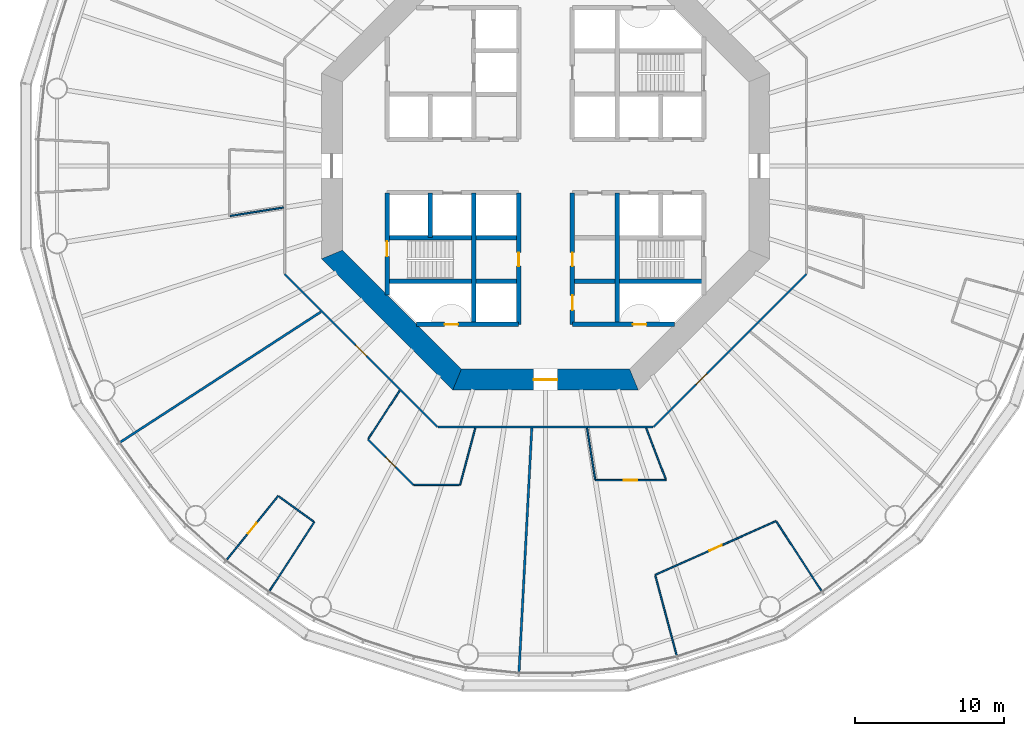
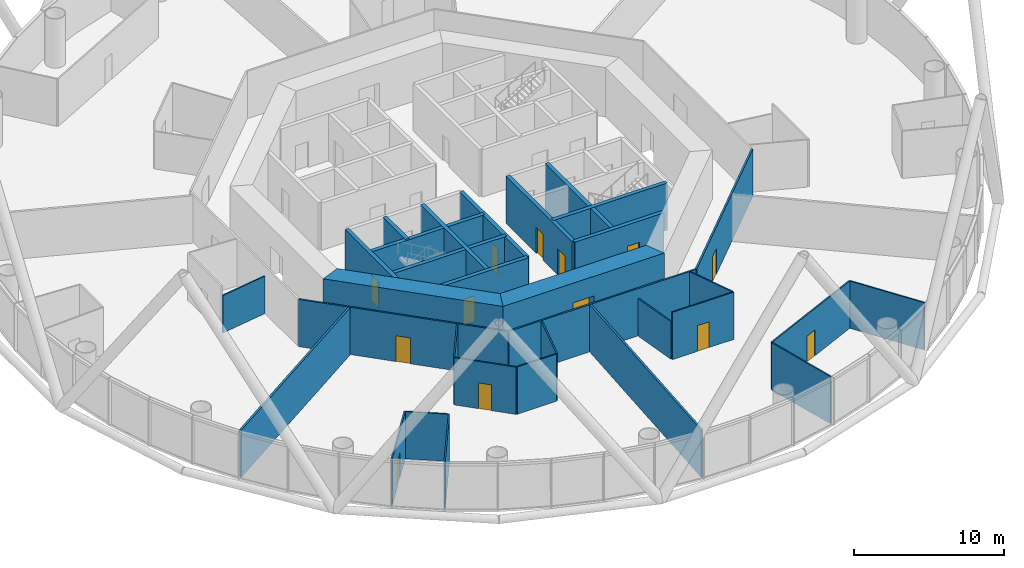
# One storey, part 3 of 13: 32 walls, 13 doors, 13 openings.
"""IFC4 building model written with IfcOpenShell, lengths in metres."""

from ifc_helpers import new_model, si_unit, direction, frame, frame_2d, origin, place, context, subcontext, project, spatial, polyline, rectangle, outline, extrude, material, layer, layer_set, type_object, element, fill, save


model = new_model("IFC4")

# Units and contexts
model_context = context("Model", 3, precision=1e-05, world=origin(), true_north=direction((0.0, 1.0)))
body_context = subcontext(model_context, "Body", "Model", "MODEL_VIEW")
ifc_project = project(units=[si_unit("LENGTHUNIT", "METRE"), si_unit("AREAUNIT", "SQUARE_METRE"), si_unit("VOLUMEUNIT", "CUBIC_METRE"), si_unit("PLANEANGLEUNIT", "RADIAN"), si_unit("MASSUNIT", "GRAM", prefix="KILO")], contexts=[model_context])

# Site, building, storey
site_placement = place(None, origin())
site = spatial("IfcSite", under=ifc_project, at=site_placement, CompositionType="ELEMENT")
building_placement = place(site_placement, origin())
building = spatial("IfcBuilding", under=site, at=building_placement, Name="Entoto Ring Tower", CompositionType="ELEMENT")
storey_placement = place(building_placement, frame((0.0, 0.0, 38.0)))
storey = spatial("IfcBuildingStorey", under=building, at=storey_placement, Name="L07", CompositionType="ELEMENT", Elevation=38.0)

# Wall
ifc_material_1 = material(Name="Concrete C40/50", Category="concrete")
ifc_layer_1 = layer(ifc_material_1, 0.300048828125)
ifc_layer_set_1 = layer_set([ifc_layer_1], Name="Concrete C40/50")
wall_type_1 = type_object("IfcWallType", Name="Core enclosure wall 300 mm reinforced concrete", PredefinedType="SOLIDWALL", material=ifc_layer_set_1)
wall_1_placement = place(storey_placement, frame((94.800048828125, 69.39990234375, 0.0), z_axis=(0.0, 0.0, 1.0), x_axis=(0.0, 1.0, 0.0)))
element("IfcWall", 1, at=wall_1_placement, inside=storey, type_object=wall_type_1, Name="wall-L07-005", PredefinedType="SOLIDWALL", context=body_context, shape_type="SweptSolid", body=[
    extrude(rectangle(XDim=8.800048828125, YDim=0.300048828125, at=frame_2d((4.39990234375, 0.0))), origin(), (0.0, 0.0, 1.0), 3.85009765625),
])

# Wall, openings, doors
wall_2_placement = place(storey_placement, frame((91.800048828125, 69.39990234375, 0.0), z_axis=(0.0, 0.0, 1.0), x_axis=(0.0, 1.0, 0.0)))
wall_2 = element("IfcWall", 2, at=wall_2_placement, inside=storey, type_object=wall_type_1, Name="wall-L07-007", PredefinedType="SOLIDWALL", context=body_context, shape_type="SweptSolid", body=[
    extrude(rectangle(XDim=8.800048828125, YDim=0.300048828125, at=frame_2d((4.39990234375, 0.0))), origin(), (0.0, 0.0, 1.0), 3.85009765625),
])
opening_1_placement = place(wall_2_placement, frame((3.89990234375, 0.0, 0.0)))
opening_1 = element("IfcOpeningElement", 3, at=opening_1_placement, cuts=wall_2, Name="Opening K-12", PredefinedType="OPENING", context=body_context, shape_type="SweptSolid", body=[
    extrude(rectangle(XDim=0.89990234375, YDim=2.10009765625, at=frame_2d((0.449951171875, 1.050048828125))), frame((0.0, 0.16015625, 0.0), z_axis=(0.0, -1.0, 0.0), x_axis=(1.0, 0.0, 0.0)), (0.0, 0.0, 1.0), 0.320068359375),
])
opening_2_placement = place(wall_2_placement, frame((0.949951171875, 0.0, 0.0)))
opening_2 = element("IfcOpeningElement", 4, at=opening_2_placement, cuts=wall_2, Name="Opening K-13", PredefinedType="OPENING", context=body_context, shape_type="SweptSolid", body=[
    extrude(rectangle(XDim=1.0, YDim=2.10009765625, at=frame_2d((0.5, 1.050048828125))), frame((0.0, 0.16015625, 0.0), z_axis=(0.0, -1.0, 0.0), x_axis=(1.0, 0.0, 0.0)), (0.0, 0.0, 1.0), 0.320068359375),
])
ifc_material_2 = material(Name="Steel door leaf, fire rated", Category="steel")
ifc_layer_2 = layer(ifc_material_2, 0.050048828125)
ifc_layer_set_2 = layer_set([ifc_layer_2], Name="Steel door leaf, fire rated")
door_type_1 = type_object("IfcDoorType", Name="Accessible door 1000 x 2100 single leaf", OperationType="NOTDEFINED", PredefinedType="DOOR", material=ifc_layer_set_2)
door_1_placement = place(opening_2_placement, frame((1.0, 0.0, 0.0), z_axis=(0.0, 0.0, 1.0), x_axis=(-1.0, 0.0, 0.0)))
door_1 = element("IfcDoor", 5, at=door_1_placement, inside=storey, type_object=door_type_1, Name="Door K-13", OperationType="SINGLE_SWING_LEFT", OverallHeight=2.10009765625, OverallWidth=1.0, PredefinedType="DOOR", context=body_context, shape_type="SweptSolid", body=[
    extrude(rectangle(XDim=1.0, YDim=2.10009765625, at=frame_2d((0.5, 1.050048828125))), frame((0.0, 0.02490234375, 0.0), z_axis=(0.0, -1.0, 0.0), x_axis=(1.0, 0.0, 0.0)), (0.0, 0.0, 1.0), 0.050048828125),
])
fill(opening_2, door_1)
ifc_material_3 = material(Name="Steel door leaf, fire rated", Category="steel")
ifc_layer_3 = layer(ifc_material_3, 0.050048828125)
ifc_layer_set_3 = layer_set([ifc_layer_3], Name="Steel door leaf, fire rated")
door_type_2 = type_object("IfcDoorType", Name="Core door 900 x 2100 single leaf", OperationType="NOTDEFINED", PredefinedType="DOOR", material=ifc_layer_set_3)
door_2_placement = place(opening_1_placement, frame((0.89990234375, 0.0, 0.0), z_axis=(0.0, 0.0, 1.0), x_axis=(-1.0, 0.0, 0.0)))
door_2 = element("IfcDoor", 6, at=door_2_placement, inside=storey, type_object=door_type_2, Name="Door K-12", OperationType="SINGLE_SWING_LEFT", OverallHeight=2.10009765625, OverallWidth=0.89990234375, PredefinedType="DOOR", context=body_context, shape_type="SweptSolid", body=[
    extrude(rectangle(XDim=0.89990234375, YDim=2.10009765625, at=frame_2d((0.449951171875, 1.050048828125))), frame((0.0, 0.02490234375, 0.0), z_axis=(0.0, -1.0, 0.0), x_axis=(1.0, 0.0, 0.0)), (0.0, 0.0, 1.0), 0.050048828125),
])
fill(opening_1, door_2)

# Wall, opening, door
wall_3_placement = place(storey_placement, frame((88.199951171875, 69.39990234375, 0.0), z_axis=(0.0, 0.0, 1.0), x_axis=(0.0, 1.0, 0.0)))
wall_3 = element("IfcWall", 7, at=wall_3_placement, inside=storey, type_object=wall_type_1, Name="wall-L07-009", PredefinedType="SOLIDWALL", context=body_context, shape_type="SweptSolid", body=[
    extrude(rectangle(XDim=8.800048828125, YDim=0.300048828125, at=frame_2d((4.39990234375, 0.0))), origin(), (0.0, 0.0, 1.0), 3.85009765625),
])
opening_3_placement = place(wall_3_placement, frame((3.89990234375, 0.0, 0.0)))
opening_3 = element("IfcOpeningElement", 8, at=opening_3_placement, cuts=wall_3, Name="Opening K-14", PredefinedType="OPENING", context=body_context, shape_type="SweptSolid", body=[
    extrude(rectangle(XDim=0.89990234375, YDim=2.10009765625, at=frame_2d((0.449951171875, 1.050048828125))), frame((0.0, 0.16015625, 0.0), z_axis=(0.0, -1.0, 0.0), x_axis=(1.0, 0.0, 0.0)), (0.0, 0.0, 1.0), 0.320068359375),
])
door_3_placement = place(opening_3_placement, origin())
door_3 = element("IfcDoor", 9, at=door_3_placement, inside=storey, type_object=door_type_2, Name="Door K-14", OperationType="SINGLE_SWING_RIGHT", OverallHeight=2.10009765625, OverallWidth=0.89990234375, PredefinedType="DOOR", context=body_context, shape_type="SweptSolid", body=[
    extrude(rectangle(XDim=0.89990234375, YDim=2.10009765625, at=frame_2d((0.449951171875, 1.050048828125))), frame((0.0, 0.02490234375, 0.0), z_axis=(0.0, -1.0, 0.0), x_axis=(1.0, 0.0, 0.0)), (0.0, 0.0, 1.0), 0.050048828125),
])
fill(opening_3, door_3)

# Walls
wall_4_placement = place(storey_placement, frame((85.199951171875, 69.39990234375, 0.0), z_axis=(0.0, 0.0, 1.0), x_axis=(0.0, 1.0, 0.0)))
element("IfcWall", 10, at=wall_4_placement, inside=storey, type_object=wall_type_1, Name="wall-L07-011", PredefinedType="SOLIDWALL", context=body_context, shape_type="SweptSolid", body=[
    extrude(rectangle(XDim=8.800048828125, YDim=0.300048828125, at=frame_2d((4.39990234375, 0.0))), origin(), (0.0, 0.0, 1.0), 3.85009765625),
])
wall_5_placement = place(storey_placement, frame((82.300048828125, 75.199951171875, 0.0), z_axis=(0.0, 0.0, 1.0), x_axis=(0.0, 1.0, 0.0)))
element("IfcWall", 11, at=wall_5_placement, inside=storey, type_object=wall_type_1, Name="wall-L07-013", PredefinedType="SOLIDWALL", context=body_context, shape_type="SweptSolid", body=[
    extrude(rectangle(XDim=3.0, YDim=0.300048828125, at=frame_2d((1.5, 0.0))), origin(), (0.0, 0.0, 1.0), 3.85009765625),
])

# Wall, opening, door
wall_6_placement = place(storey_placement, frame((79.39990234375, 71.36669921875, 0.0), z_axis=(0.0, 0.0, 1.0), x_axis=(0.0, 1.0, 0.0)))
wall_6 = element("IfcWall", 12, at=wall_6_placement, inside=storey, type_object=wall_type_1, Name="wall-L07-015", PredefinedType="SOLIDWALL", context=body_context, shape_type="SweptSolid", body=[
    extrude(rectangle(XDim=6.833251953125, YDim=0.300048828125, at=frame_2d((3.41650390625, 0.0))), origin(), (0.0, 0.0, 1.0), 3.85009765625),
])
opening_4_placement = place(wall_6_placement, frame((2.583251953125, 0.0, 0.0)))
opening_4 = element("IfcOpeningElement", 13, at=opening_4_placement, cuts=wall_6, Name="Opening K-59", PredefinedType="OPENING", context=body_context, shape_type="SweptSolid", body=[
    extrude(rectangle(XDim=1.0, YDim=2.10009765625, at=frame_2d((0.5, 1.050048828125))), frame((0.0, 0.16015625, 0.0), z_axis=(0.0, -1.0, 0.0), x_axis=(1.0, 0.0, 0.0)), (0.0, 0.0, 1.0), 0.320068359375),
])
ifc_material_4 = material(Name="Steel door leaf, fire rated", Category="steel")
ifc_layer_4 = layer(ifc_material_4, 0.050048828125)
ifc_layer_set_4 = layer_set([ifc_layer_4], Name="Steel door leaf, fire rated")
door_type_3 = type_object("IfcDoorType", Name="Fire door FD60 1000 x 2100 single leaf", OperationType="NOTDEFINED", PredefinedType="DOOR", material=ifc_layer_set_4)
door_4_placement = place(opening_4_placement, frame((1.0, 0.0, 0.0), z_axis=(0.0, 0.0, 1.0), x_axis=(-1.0, 0.0, 0.0)))
door_4 = element("IfcDoor", 14, at=door_4_placement, inside=storey, type_object=door_type_3, Name="Door K-59", OperationType="SINGLE_SWING_LEFT", OverallHeight=2.10009765625, OverallWidth=1.0, PredefinedType="DOOR", context=body_context, shape_type="SweptSolid", body=[
    extrude(rectangle(XDim=1.0, YDim=2.10009765625, at=frame_2d((0.5, 1.050048828125))), frame((0.0, 0.02490234375, 0.0), z_axis=(0.0, -1.0, 0.0), x_axis=(1.0, 0.0, 0.0)), (0.0, 0.0, 1.0), 0.050048828125),
])
fill(opening_4, door_4)

wall_7_placement = place(storey_placement, frame((81.36669921875, 69.39990234375, 0.0), z_axis=(0.0, 0.0, 1.0), x_axis=(1.0, 0.0, 0.0)))
wall_7 = element("IfcWall", 15, at=wall_7_placement, inside=storey, type_object=wall_type_1, Name="wall-L07-017", PredefinedType="SOLIDWALL", context=body_context, shape_type="SweptSolid", body=[
    extrude(rectangle(XDim=6.833251953125, YDim=0.300048828125, at=frame_2d((3.41650390625, 0.0))), origin(), (0.0, 0.0, 1.0), 3.85009765625),
])
opening_5_placement = place(wall_7_placement, frame((1.88330078125, 0.0, 0.0)))
opening_5 = element("IfcOpeningElement", 16, at=opening_5_placement, cuts=wall_7, Name="Opening K-66", PredefinedType="OPENING", context=body_context, shape_type="SweptSolid", body=[
    extrude(rectangle(XDim=0.89990234375, YDim=2.10009765625, at=frame_2d((0.449951171875, 1.050048828125))), frame((0.0, 0.16015625, 0.0), z_axis=(0.0, -1.0, 0.0), x_axis=(1.0, 0.0, 0.0)), (0.0, 0.0, 1.0), 0.320068359375),
])
ifc_material_5 = material(Name="Steel door leaf, fire rated", Category="steel")
ifc_layer_5 = layer(ifc_material_5, 0.050048828125)
ifc_layer_set_5 = layer_set([ifc_layer_5], Name="Steel door leaf, fire rated")
door_type_4 = type_object("IfcDoorType", Name="Riser door FD60 900 x 2100 single leaf", OperationType="NOTDEFINED", PredefinedType="DOOR", material=ifc_layer_set_5)
door_5_placement = place(opening_5_placement, origin())
door_5 = element("IfcDoor", 17, at=door_5_placement, inside=storey, type_object=door_type_4, Name="Door K-66", OperationType="SINGLE_SWING_RIGHT", OverallHeight=2.10009765625, OverallWidth=0.89990234375, PredefinedType="DOOR", context=body_context, shape_type="SweptSolid", body=[
    extrude(rectangle(XDim=0.89990234375, YDim=2.10009765625, at=frame_2d((0.449951171875, 1.050048828125))), frame((0.0, 0.02490234375, 0.0), z_axis=(0.0, -1.0, 0.0), x_axis=(1.0, 0.0, 0.0)), (0.0, 0.0, 1.0), 0.050048828125),
])
fill(opening_5, door_5)

wall_8_placement = place(storey_placement, frame((91.800048828125, 69.39990234375, 0.0), z_axis=(0.0, 0.0, 1.0), x_axis=(1.0, 0.0, 0.0)))
wall_8 = element("IfcWall", 18, at=wall_8_placement, inside=storey, type_object=wall_type_1, Name="wall-L07-018", PredefinedType="SOLIDWALL", context=body_context, shape_type="SweptSolid", body=[
    extrude(rectangle(XDim=6.833251953125, YDim=0.300048828125, at=frame_2d((3.41650390625, 0.0))), origin(), (0.0, 0.0, 1.0), 3.85009765625),
])
opening_6_placement = place(wall_8_placement, frame((4.050048828125, 0.0, 0.0)))
opening_6 = element("IfcOpeningElement", 19, at=opening_6_placement, cuts=wall_8, Name="Opening K-68", PredefinedType="OPENING", context=body_context, shape_type="SweptSolid", body=[
    extrude(rectangle(XDim=0.89990234375, YDim=2.10009765625, at=frame_2d((0.449951171875, 1.050048828125))), frame((0.0, 0.16015625, 0.0), z_axis=(0.0, -1.0, 0.0), x_axis=(1.0, 0.0, 0.0)), (0.0, 0.0, 1.0), 0.320068359375),
])
door_6_placement = place(opening_6_placement, origin())
door_6 = element("IfcDoor", 20, at=door_6_placement, inside=storey, type_object=door_type_4, Name="Door K-68", OperationType="SINGLE_SWING_LEFT", OverallHeight=2.10009765625, OverallWidth=0.89990234375, PredefinedType="DOOR", context=body_context, shape_type="SweptSolid", body=[
    extrude(rectangle(XDim=0.89990234375, YDim=2.10009765625, at=frame_2d((0.449951171875, 1.050048828125))), frame((0.0, 0.02490234375, 0.0), z_axis=(0.0, -1.0, 0.0), x_axis=(1.0, 0.0, 0.0)), (0.0, 0.0, 1.0), 0.050048828125),
])
fill(opening_6, door_6)

# Walls
for number, where, z_axis, x_axis, name in (
    (21, (79.39990234375, 72.300048828125, 0.0), (0.0, 0.0, 1.0), (1.0, 0.0, 0.0), "wall-L07-019"),
    (22, (91.800048828125, 72.300048828125, 0.0), (0.0, 0.0, 1.0), (1.0, 0.0, 0.0), "wall-L07-020"),
    (23, (79.39990234375, 75.199951171875, 0.0), (0.0, 0.0, 1.0), (1.0, 0.0, 0.0), "wall-L07-021"),
):
    element("IfcWall", number, at=place(storey_placement, frame(where, z_axis=z_axis, x_axis=x_axis)), inside=storey, type_object=wall_type_1, Name=name, PredefinedType="SOLIDWALL", context=body_context, shape_type="SweptSolid", body=[
        extrude(rectangle(XDim=8.800048828125, YDim=0.300048828125, at=frame_2d((4.39990234375, 0.0))), origin(), (0.0, 0.0, 1.0), 3.85009765625),
    ])
ifc_material_6 = material(Name="Concrete C60/75", Category="concrete")
ifc_layer_6 = layer(ifc_material_6, 1.39990234375)
ifc_layer_set_6 = layer_set([ifc_layer_6], Name="Concrete C60/75")
wall_type_2 = type_object("IfcWallType", Name="Core shear wall 1400 mm reinforced concrete C60/75", PredefinedType="SHEAR", material=ifc_layer_set_6)
wall_9_placement = place(storey_placement, frame((75.699951171875, 74.07666015625, 0.0), z_axis=(0.0, 0.0, 1.0), x_axis=(0.707106781187, -0.707106781187, 0.0)))
element("IfcWall", 24, at=wall_9_placement, inside=storey, type_object=wall_type_2, Name="wall-L07-core-5", PredefinedType="SHEAR", context=body_context, shape_type="SweptSolid", body=[
    extrude(outline(polyline([(-0.2900390625, -0.699951171875), (12.136474609375, -0.699951171875), (11.556396484375, 0.699951171875), (0.2900390625, 0.699951171875), (-0.2900390625, -0.699951171875)])), origin(), (0.0, 0.0, 1.0), 4.0),
])

# Wall, opening, door
wall_10_placement = place(storey_placement, frame((84.07666015625, 65.699951171875, 0.0), z_axis=(0.0, 0.0, 1.0), x_axis=(1.0, 0.0, 0.0)))
wall_10 = element("IfcWall", 25, at=wall_10_placement, inside=storey, type_object=wall_type_2, Name="wall-L07-core-6", PredefinedType="SHEAR", context=body_context, shape_type="SweptSolid", body=[
    extrude(outline(polyline([(-0.2900390625, -0.699951171875), (12.13671875, -0.699951171875), (11.556640625, 0.699951171875), (0.2900390625, 0.699951171875), (-0.2900390625, -0.699951171875)])), origin(), (0.0, 0.0, 1.0), 4.0),
])
opening_7_placement = place(wall_10_placement, frame((5.123291015625, 0.0, 0.0)))
opening_7 = element("IfcOpeningElement", 26, at=opening_7_placement, cuts=wall_10, Name="Opening K-04", PredefinedType="OPENING", context=body_context, shape_type="SweptSolid", body=[
    extrude(rectangle(XDim=1.60009765625, YDim=2.39990234375, at=frame_2d((0.800048828125, 1.199951171875))), frame((0.0, 0.7099609375, 0.0), z_axis=(0.0, -1.0, 0.0), x_axis=(1.0, 0.0, 0.0)), (0.0, 0.0, 1.0), 1.419921875),
])
ifc_material_7 = material(Name="Steel door leaf, fire rated", Category="steel")
ifc_layer_7 = layer(ifc_material_7, 0.050048828125)
ifc_layer_set_7 = layer_set([ifc_layer_7], Name="Steel door leaf, fire rated")
door_type_5 = type_object("IfcDoorType", Name="Entrance door FD60 1600 x 2400 double leaf", OperationType="DOUBLE_DOOR_SINGLE_SWING", PredefinedType="DOOR", material=ifc_layer_set_7)
door_7_placement = place(opening_7_placement, origin())
door_7 = element("IfcDoor", 27, at=door_7_placement, inside=storey, type_object=door_type_5, Name="Entrance door K-04", OperationType="DOUBLE_DOOR_SINGLE_SWING", OverallHeight=2.39990234375, OverallWidth=1.60009765625, PredefinedType="DOOR", context=body_context, shape_type="SweptSolid", body=[
    extrude(rectangle(XDim=1.60009765625, YDim=2.39990234375, at=frame_2d((0.800048828125, 1.199951171875))), frame((0.0, 0.02490234375, 0.0), z_axis=(0.0, -1.0, 0.0), x_axis=(1.0, 0.0, 0.0)), (0.0, 0.0, 1.0), 0.050048828125),
])
fill(opening_7, door_7)

ifc_material_8 = material(Name="Fire-resisting plasterboard on steel studs", Category="steel")
ifc_layer_8 = layer(ifc_material_8, 0.125)
ifc_layer_set_8 = layer_set([ifc_layer_8], Name="Fire-resisting plasterboard on steel studs")
wall_type_3 = type_object("IfcWallType", Name="Corridor wall 125 mm one-hour plasterboard on steel studs", PredefinedType="PARTITIONING", material=ifc_layer_set_8)
wall_11_placement = place(storey_placement, frame((82.766845703125, 62.53759765625, 0.0), z_axis=(0.0, 0.0, 1.0), x_axis=(-0.707106781187, 0.707106781187, 0.0)))
wall_11 = element("IfcWall", 28, at=wall_11_placement, inside=storey, type_object=wall_type_3, Name="partition-L07-002", PredefinedType="PARTITIONING", context=body_context, shape_type="SweptSolid", body=[
    extrude(rectangle(XDim=14.46630859375, YDim=0.125, at=frame_2d((7.233154296875, 0.0))), origin(), (0.0, 0.0, 1.0), 3.85009765625),
])
opening_8_placement = place(wall_11_placement, frame((6.733154296875, 0.0, 0.0)))
opening_8 = element("IfcOpeningElement", 29, at=opening_8_placement, cuts=wall_11, Name="Opening A03-D01", PredefinedType="OPENING", context=body_context, shape_type="SweptSolid", body=[
    extrude(rectangle(XDim=1.0, YDim=2.10009765625, at=frame_2d((0.5, 1.050048828125))), frame((0.0, 0.072509765625, 0.0), z_axis=(0.0, -1.0, 0.0), x_axis=(1.0, 0.0, 0.0)), (0.0, 0.0, 1.0), 0.14501953125),
])
ifc_material_9 = material(Name="Fire-resisting timber door set", Category="wood")
door_type_6 = type_object("IfcDoorType", Name="Door 1000 x 2100 single leaf FD30S fire door", OperationType="NOTDEFINED", PredefinedType="DOOR", material=ifc_material_9)
door_8_placement = place(opening_8_placement, origin())
door_8 = element("IfcDoor", 30, at=door_8_placement, inside=storey, type_object=door_type_6, Name="Door A03-D01", OperationType="SINGLE_SWING_LEFT", OverallHeight=2.10009765625, OverallWidth=1.0, PredefinedType="DOOR", context=body_context, shape_type="SweptSolid", body=[
    extrude(rectangle(XDim=1.0, YDim=2.10009765625, at=frame_2d((0.5, 1.050048828125))), frame((0.0, 0.02490234375, 0.0), z_axis=(0.0, -1.0, 0.0), x_axis=(1.0, 0.0, 0.0)), (0.0, 0.0, 1.0), 0.050048828125),
])
fill(opening_8, door_8)

wall_12_placement = place(storey_placement, frame((97.233154296875, 62.53759765625, 0.0), z_axis=(0.0, 0.0, 1.0), x_axis=(0.707106781187, 0.707106781187, 0.0)))
wall_12 = element("IfcWall", 31, at=wall_12_placement, inside=storey, type_object=wall_type_3, Name="partition-L07-003", PredefinedType="PARTITIONING", context=body_context, shape_type="SweptSolid", body=[
    extrude(rectangle(XDim=14.46630859375, YDim=0.125, at=frame_2d((7.233154296875, 0.0))), origin(), (0.0, 0.0, 1.0), 3.85009765625),
])
opening_9_placement = place(wall_12_placement, frame((4.0341796875, 0.0, 0.0)))
opening_9 = element("IfcOpeningElement", 32, at=opening_9_placement, cuts=wall_12, Name="Opening A03-D04", PredefinedType="OPENING", context=body_context, shape_type="SweptSolid", body=[
    extrude(rectangle(XDim=1.0, YDim=2.10009765625, at=frame_2d((0.5, 1.050048828125))), frame((0.0, 0.072509765625, 0.0), z_axis=(0.0, -1.0, 0.0), x_axis=(1.0, 0.0, 0.0)), (0.0, 0.0, 1.0), 0.14501953125),
])
door_9_placement = place(opening_9_placement, frame((1.0, 0.0, 0.0), z_axis=(0.0, 0.0, 1.0), x_axis=(-1.0, 0.0, 0.0)))
door_9 = element("IfcDoor", 33, at=door_9_placement, inside=storey, type_object=door_type_6, Name="Door A03-D04", OperationType="SINGLE_SWING_LEFT", OverallHeight=2.10009765625, OverallWidth=1.0, PredefinedType="DOOR", context=body_context, shape_type="SweptSolid", body=[
    extrude(rectangle(XDim=1.0, YDim=2.10009765625, at=frame_2d((0.5, 1.050048828125))), frame((0.0, 0.02490234375, 0.0), z_axis=(0.0, -1.0, 0.0), x_axis=(1.0, 0.0, 0.0)), (0.0, 0.0, 1.0), 0.050048828125),
])
fill(opening_9, door_9)

# Wall
wall_13_placement = place(storey_placement, frame((82.810791015625, 62.53759765625, 0.0), z_axis=(0.0, 0.0, 1.0), x_axis=(1.0, 0.0, 0.0)))
element("IfcWall", 34, at=wall_13_placement, inside=storey, type_object=wall_type_3, Name="partition-L07-006", PredefinedType="PARTITIONING", context=body_context, shape_type="SweptSolid", body=[
    extrude(rectangle(XDim=14.37841796875, YDim=0.125, at=frame_2d((7.189208984375, 0.0))), origin(), (0.0, 0.0, 1.0), 3.85009765625),
])

# Wall, opening, door
ifc_material_10 = material(Name="Plasterboard on steel studs", Category="steel")
ifc_layer_9 = layer(ifc_material_10, 0.10009765625)
ifc_layer_set_9 = layer_set([ifc_layer_9], Name="Plasterboard on steel studs")
wall_type_4 = type_object("IfcWallType", Name="Partition 100 mm plasterboard on steel studs", PredefinedType="PARTITIONING", material=ifc_layer_set_9)
wall_14_placement = place(storey_placement, frame((97.332275390625, 52.63525390625, 0.0), z_axis=(0.0, 0.0, 1.0), x_axis=(0.9135444322, 0.406738946251, 0.0)))
wall_14 = element("IfcWall", 35, at=wall_14_placement, inside=storey, type_object=wall_type_4, Name="partition-L07-016", PredefinedType="PARTITIONING", context=body_context, shape_type="SweptSolid", body=[
    extrude(rectangle(XDim=8.86376953125, YDim=0.10009765625, at=frame_2d((4.431884765625, 0.0))), origin(), (0.0, 0.0, 1.0), 3.85009765625),
])
opening_10_placement = place(wall_14_placement, frame((3.981689453125, 0.0, 0.0)))
opening_10 = element("IfcOpeningElement", 36, at=opening_10_placement, cuts=wall_14, Name="Opening A03-D06", PredefinedType="OPENING", context=body_context, shape_type="SweptSolid", body=[
    extrude(rectangle(XDim=0.89990234375, YDim=2.10009765625, at=frame_2d((0.449951171875, 1.050048828125))), frame((0.0, 0.06005859375, 0.0), z_axis=(0.0, -1.0, 0.0), x_axis=(1.0, 0.0, 0.0)), (0.0, 0.0, 1.0), 0.1201171875),
])
ifc_material_11 = material(Name="Veneered timber door leaf in timber frame", Category="wood")
door_type_7 = type_object("IfcDoorType", Name="Door 900 x 2100 single leaf timber veneer", OperationType="NOTDEFINED", PredefinedType="DOOR", material=ifc_material_11)
door_10_placement = place(opening_10_placement, frame((0.89990234375, 0.0, 0.0), z_axis=(0.0, 0.0, 1.0), x_axis=(-1.0, 0.0, 0.0)))
door_10 = element("IfcDoor", 37, at=door_10_placement, inside=storey, type_object=door_type_7, Name="Door A03-D06", OperationType="SINGLE_SWING_RIGHT", OverallHeight=2.10009765625, OverallWidth=0.89990234375, PredefinedType="DOOR", context=body_context, shape_type="SweptSolid", body=[
    extrude(rectangle(XDim=0.89990234375, YDim=2.10009765625, at=frame_2d((0.449951171875, 1.050048828125))), frame((0.0, 0.02490234375, 0.0), z_axis=(0.0, -1.0, 0.0), x_axis=(1.0, 0.0, 0.0)), (0.0, 0.0, 1.0), 0.050048828125),
])
fill(opening_10, door_10)

# Walls
wall_15_placement = place(storey_placement, frame((108.485107421875, 51.535400390625, 0.0), z_axis=(0.0, 0.0, 1.0), x_axis=(-0.544619479933, 0.83868326684, 0.0)))
element("IfcWall", 38, at=wall_15_placement, inside=storey, type_object=wall_type_4, Name="partition-L07-021", PredefinedType="PARTITIONING", context=body_context, shape_type="SweptSolid", body=[
    extrude(rectangle(XDim=5.560791015625, YDim=0.10009765625, at=frame_2d((2.7802734375, 0.0))), origin(), (0.0, 0.0, 1.0), 3.85009765625),
])
wall_16_placement = place(storey_placement, frame((98.7841796875, 47.216552734375, 0.0), z_axis=(0.0, 0.0, 1.0), x_axis=(-0.258782904223, 0.965935509484, 0.0)))
element("IfcWall", 39, at=wall_16_placement, inside=storey, type_object=wall_type_4, Name="partition-L07-022", PredefinedType="PARTITIONING", context=body_context, shape_type="SweptSolid", body=[
    extrude(rectangle(XDim=5.560546875, YDim=0.10009765625, at=frame_2d((2.7802734375, 0.0))), origin(), (0.0, 0.0, 1.0), 3.85009765625),
])

# Wall, opening, door
wall_17_placement = place(storey_placement, frame((68.640869140625, 53.623779296875, 0.0), z_axis=(0.0, 0.0, 1.0), x_axis=(0.62933030084, 0.777137936562, 0.0)))
wall_17 = element("IfcWall", 40, at=wall_17_placement, inside=storey, type_object=wall_type_4, Name="partition-L07-023", PredefinedType="PARTITIONING", context=body_context, shape_type="SweptSolid", body=[
    extrude(rectangle(XDim=5.530029296875, YDim=0.10009765625, at=frame_2d((2.76513671875, 0.0))), origin(), (0.0, 0.0, 1.0), 3.85009765625),
])
opening_11_placement = place(wall_17_placement, frame((2.31494140625, 0.0, 0.0)))
opening_11 = element("IfcOpeningElement", 41, at=opening_11_placement, cuts=wall_17, Name="Opening A03-D03", PredefinedType="OPENING", context=body_context, shape_type="SweptSolid", body=[
    extrude(rectangle(XDim=0.89990234375, YDim=2.10009765625, at=frame_2d((0.449951171875, 1.050048828125))), frame((0.0, 0.06005859375, 0.0), z_axis=(0.0, -1.0, 0.0), x_axis=(1.0, 0.0, 0.0)), (0.0, 0.0, 1.0), 0.1201171875),
])
door_11_placement = place(opening_11_placement, frame((0.89990234375, 0.0, 0.0), z_axis=(0.0, 0.0, 1.0), x_axis=(-1.0, 0.0, 0.0)))
door_11 = element("IfcDoor", 42, at=door_11_placement, inside=storey, type_object=door_type_7, Name="Door A03-D03", OperationType="SINGLE_SWING_RIGHT", OverallHeight=2.10009765625, OverallWidth=0.89990234375, PredefinedType="DOOR", context=body_context, shape_type="SweptSolid", body=[
    extrude(rectangle(XDim=0.89990234375, YDim=2.10009765625, at=frame_2d((0.449951171875, 1.050048828125))), frame((0.0, 0.02490234375, 0.0), z_axis=(0.0, -1.0, 0.0), x_axis=(1.0, 0.0, 0.0)), (0.0, 0.0, 1.0), 0.050048828125),
])
fill(opening_11, door_11)

# Wall
wall_18_placement = place(storey_placement, frame((71.514892578125, 51.535400390625, 0.0), z_axis=(0.0, 0.0, 1.0), x_axis=(0.544645368081, 0.83866645517, 0.0)))
element("IfcWall", 43, at=wall_18_placement, inside=storey, type_object=wall_type_4, Name="partition-L07-024", PredefinedType="PARTITIONING", context=body_context, shape_type="SweptSolid", body=[
    extrude(rectangle(XDim=5.530029296875, YDim=0.10009765625, at=frame_2d((2.76513671875, 0.0))), origin(), (0.0, 0.0, 1.0), 3.85009765625),
])

# Wall, opening, door
wall_19_placement = place(storey_placement, frame((93.32958984375, 58.9775390625, 0.0), z_axis=(0.0, 0.0, 1.0), x_axis=(1.0, 0.0, 0.0)))
wall_19 = element("IfcWall", 44, at=wall_19_placement, inside=storey, type_object=wall_type_4, Name="partition-L07-030", PredefinedType="PARTITIONING", context=body_context, shape_type="SweptSolid", body=[
    extrude(rectangle(XDim=4.740234375, YDim=0.10009765625, at=frame_2d((2.3701171875, 0.0))), origin(), (0.0, 0.0, 1.0), 3.85009765625),
])
opening_12_placement = place(wall_19_placement, frame((1.920166015625, 0.0, 0.0)))
opening_12 = element("IfcOpeningElement", 45, at=opening_12_placement, cuts=wall_19, Name="Opening A03-D05", PredefinedType="OPENING", context=body_context, shape_type="SweptSolid", body=[
    extrude(rectangle(XDim=0.89990234375, YDim=2.10009765625, at=frame_2d((0.449951171875, 1.050048828125))), frame((0.0, 0.06005859375, 0.0), z_axis=(0.0, -1.0, 0.0), x_axis=(1.0, 0.0, 0.0)), (0.0, 0.0, 1.0), 0.1201171875),
])
door_12_placement = place(opening_12_placement, origin())
door_12 = element("IfcDoor", 46, at=door_12_placement, inside=storey, type_object=door_type_7, Name="Door A03-D05", OperationType="SINGLE_SWING_RIGHT", OverallHeight=2.10009765625, OverallWidth=0.89990234375, PredefinedType="DOOR", context=body_context, shape_type="SweptSolid", body=[
    extrude(rectangle(XDim=0.89990234375, YDim=2.10009765625, at=frame_2d((0.449951171875, 1.050048828125))), frame((0.0, 0.02490234375, 0.0), z_axis=(0.0, -1.0, 0.0), x_axis=(1.0, 0.0, 0.0)), (0.0, 0.0, 1.0), 0.050048828125),
])
fill(opening_12, door_12)

wall_20_placement = place(storey_placement, frame((81.15966796875, 58.657470703125, 0.0), z_axis=(0.0, 0.0, 1.0), x_axis=(-0.707106781187, 0.707106781187, 0.0)))
wall_20 = element("IfcWall", 47, at=wall_20_placement, inside=storey, type_object=wall_type_4, Name="partition-L07-039", PredefinedType="PARTITIONING", context=body_context, shape_type="SweptSolid", body=[
    extrude(rectangle(XDim=4.3037109375, YDim=0.10009765625, at=frame_2d((2.15185546875, 0.0))), origin(), (0.0, 0.0, 1.0), 3.85009765625),
])
opening_13_placement = place(wall_20_placement, frame((1.701904296875, 0.0, 0.0)))
opening_13 = element("IfcOpeningElement", 48, at=opening_13_placement, cuts=wall_20, Name="Opening A03-D02", PredefinedType="OPENING", context=body_context, shape_type="SweptSolid", body=[
    extrude(rectangle(XDim=0.89990234375, YDim=2.10009765625, at=frame_2d((0.449951171875, 1.050048828125))), frame((0.0, 0.06005859375, 0.0), z_axis=(0.0, -1.0, 0.0), x_axis=(1.0, 0.0, 0.0)), (0.0, 0.0, 1.0), 0.1201171875),
])
door_13_placement = place(opening_13_placement, frame((0.89990234375, 0.0, 0.0), z_axis=(0.0, 0.0, 1.0), x_axis=(-1.0, 0.0, 0.0)))
door_13 = element("IfcDoor", 49, at=door_13_placement, inside=storey, type_object=door_type_7, Name="Door A03-D02", OperationType="SINGLE_SWING_LEFT", OverallHeight=2.10009765625, OverallWidth=0.89990234375, PredefinedType="DOOR", context=body_context, shape_type="SweptSolid", body=[
    extrude(rectangle(XDim=0.89990234375, YDim=2.10009765625, at=frame_2d((0.449951171875, 1.050048828125))), frame((0.0, 0.02490234375, 0.0), z_axis=(0.0, -1.0, 0.0), x_axis=(1.0, 0.0, 0.0)), (0.0, 0.0, 1.0), 0.050048828125),
])
fill(opening_13, door_13)

# Walls
wall_21_placement = place(storey_placement, frame((84.28125, 58.657470703125, 0.0), z_axis=(0.0, 0.0, 1.0), x_axis=(0.258835224939, 0.96592149077, 0.0)))
element("IfcWall", 50, at=wall_21_placement, inside=storey, type_object=wall_type_4, Name="partition-L07-041", PredefinedType="PARTITIONING", context=body_context, shape_type="SweptSolid", body=[
    extrude(rectangle(XDim=3.93896484375, YDim=0.10009765625, at=frame_2d((1.969482421875, 0.0))), origin(), (0.0, 0.0, 1.0), 3.85009765625),
])
wall_22_placement = place(storey_placement, frame((78.142822265625, 61.74169921875, 0.0), z_axis=(0.0, 0.0, 1.0), x_axis=(0.54463329585, 0.838674294975, 0.0)))
element("IfcWall", 51, at=wall_22_placement, inside=storey, type_object=wall_type_4, Name="partition-L07-042", PredefinedType="PARTITIONING", context=body_context, shape_type="SweptSolid", body=[
    extrude(rectangle(XDim=3.843505859375, YDim=0.10009765625, at=frame_2d((1.921875, 0.0))), origin(), (0.0, 0.0, 1.0), 3.85009765625),
])
wall_23_placement = place(storey_placement, frame((98.043701171875, 59.04541015625, 0.0), z_axis=(0.0, 0.0, 1.0), x_axis=(-0.35839706754, 0.933569248625, 0.0)))
element("IfcWall", 52, at=wall_23_placement, inside=storey, type_object=wall_type_4, Name="partition-L07-044", PredefinedType="PARTITIONING", context=body_context, shape_type="SweptSolid", body=[
    extrude(rectangle(XDim=3.654541015625, YDim=0.10009765625, at=frame_2d((1.8271484375, 0.0))), origin(), (0.0, 0.0, 1.0), 3.85009765625),
])
wall_24_placement = place(storey_placement, frame((81.19482421875, 58.657470703125, 0.0), z_axis=(0.0, 0.0, 1.0), x_axis=(1.0, 0.0, 0.0)))
element("IfcWall", 53, at=wall_24_placement, inside=storey, type_object=wall_type_4, Name="partition-L07-048", PredefinedType="PARTITIONING", context=body_context, shape_type="SweptSolid", body=[
    extrude(rectangle(XDim=3.038330078125, YDim=0.10009765625, at=frame_2d((1.51904296875, 0.0))), origin(), (0.0, 0.0, 1.0), 3.85009765625),
])
wall_25_placement = place(storey_placement, frame((74.486328125, 56.20263671875, 0.0), z_axis=(0.0, 0.0, 1.0), x_axis=(-0.809011520209, 0.587792786761, 0.0)))
element("IfcWall", 54, at=wall_25_placement, inside=storey, type_object=wall_type_4, Name="partition-L07-051", PredefinedType="PARTITIONING", context=body_context, shape_type="SweptSolid", body=[
    extrude(rectangle(XDim=2.873779296875, YDim=0.10009765625, at=frame_2d((1.43701171875, 0.0))), origin(), (0.0, 0.0, 1.0), 3.85009765625),
])
ifc_material_12 = material(Name="Plasterboard on steel studs", Category="steel")
ifc_layer_10 = layer(ifc_material_12, 0.10009765625)
ifc_layer_set_10 = layer_set([ifc_layer_10], Name="Plasterboard on steel studs")
wall_type_5 = type_object("IfcWallType", Name="Partition 100 mm plasterboard on steel studs, 3050 mm high", PredefinedType="PARTITIONING", material=ifc_layer_set_10)
wall_26_placement = place(storey_placement, frame((68.895263671875, 76.6572265625, 0.0), z_axis=(0.0, 0.0, 1.0), x_axis=(0.987681275656, 0.156479064792, 0.0)))
element("IfcWall", 55, at=wall_26_placement, inside=storey, type_object=wall_type_5, Name="partition-L07-045", PredefinedType="PARTITIONING", context=body_context, shape_type="SweptSolid", body=[
    extrude(rectangle(XDim=3.616455078125, YDim=0.10009765625, at=frame_2d((1.80810546875, 0.0))), origin(), (0.0, 0.0, 1.0), 3.050048828125),
])
wall_27_placement = place(storey_placement, frame((93.322021484375, 59.026123046875, 0.0), z_axis=(0.0, 0.0, 1.0), x_axis=(-0.156473519012, 0.987682154262, 0.0)))
element("IfcWall", 56, at=wall_27_placement, inside=storey, type_object=wall_type_5, Name="partition-L07-047", PredefinedType="PARTITIONING", context=body_context, shape_type="SweptSolid", body=[
    extrude(rectangle(XDim=3.484130859375, YDim=0.10009765625, at=frame_2d((1.7421875, 0.0))), origin(), (0.0, 0.0, 1.0), 3.050048828125),
])
ifc_material_13 = material(Name="Fire-resisting acoustic plasterboard on steel studs", Category="steel")
ifc_layer_11 = layer(ifc_material_13, 0.14990234375)
ifc_layer_set_11 = layer_set([ifc_layer_11], Name="Fire-resisting acoustic plasterboard on steel studs")
wall_type_6 = type_object("IfcWallType", Name="Party wall 150 mm one-hour acoustic plasterboard on steel studs", PredefinedType="PARTITIONING", material=ifc_layer_set_11)
wall_28_placement = place(storey_placement, frame((88.2236328125, 46.1064453125, 0.0), z_axis=(0.0, 0.0, 1.0), x_axis=(0.052337539372, 0.998629451785, 0.0)))
element("IfcWall", 57, at=wall_28_placement, inside=storey, type_object=wall_type_6, Name="partition-L07-009", PredefinedType="PARTITIONING", context=body_context, shape_type="SweptSolid", body=[
    extrude(rectangle(XDim=16.38720703125, YDim=0.14990234375, at=frame_2d((8.193603515625, 0.0))), origin(), (0.0, 0.0, 1.0), 3.85009765625),
])
wall_29_placement = place(storey_placement, frame((61.535400390625, 61.514892578125, 0.0), z_axis=(0.0, 0.0, 1.0), x_axis=(0.838670035364, 0.544639855117, 0.0)))
element("IfcWall", 58, at=wall_29_placement, inside=storey, type_object=wall_type_6, Name="partition-L07-012", PredefinedType="PARTITIONING", context=body_context, shape_type="SweptSolid", body=[
    extrude(rectangle(XDim=16.0078125, YDim=0.14990234375, at=frame_2d((8.00390625, 0.0))), origin(), (0.0, 0.0, 1.0), 3.85009765625),
])

save(model, "model.ifc")
